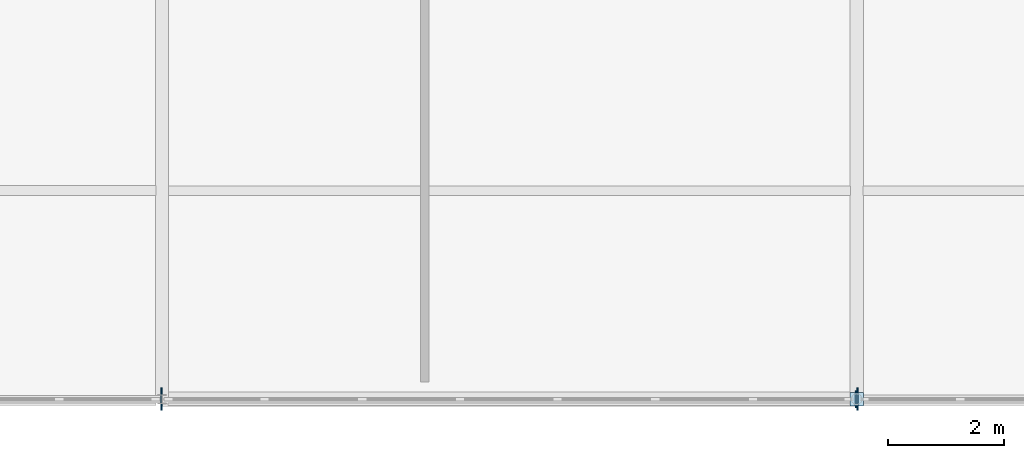
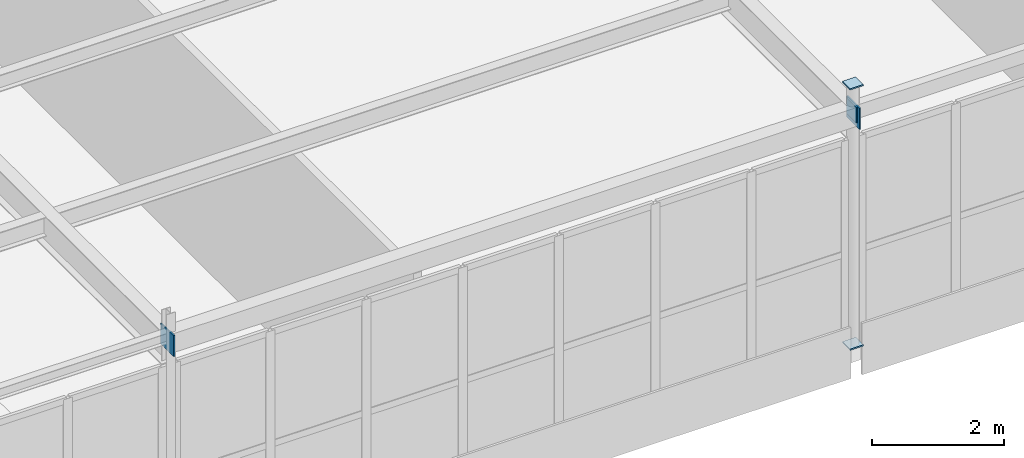
# One storey, part 180 of 226: 5 plates.
"""IFC4 building model written with IfcOpenShell, lengths in metres."""

from ifc_helpers import new_model, si_unit, direction, frame, origin, origin_2d, place, context, subcontext, project, spatial, rectangle, extrude, material, layer, layer_set, type_object, element, save


model = new_model("IFC4")

# Units and contexts
model_context = context("Model", 3, precision=1e-05, world=origin(), true_north=direction((0.0, 1.0)))
body_context = subcontext(model_context, "Body", "Model", "MODEL_VIEW")
ifc_project = project(units=[si_unit("LENGTHUNIT", "METRE"), si_unit("AREAUNIT", "SQUARE_METRE"), si_unit("VOLUMEUNIT", "CUBIC_METRE"), si_unit("PLANEANGLEUNIT", "RADIAN"), si_unit("MASSUNIT", "GRAM", prefix="KILO")], contexts=[model_context])

# Site, building, storey
site_placement = place(None, origin())
site = spatial("IfcSite", under=ifc_project, at=site_placement, CompositionType="ELEMENT")
building_placement = place(site_placement, origin())
building = spatial("IfcBuilding", under=site, at=building_placement, Name="Tarnwether General Hospital", CompositionType="ELEMENT")
storey_placement = place(building_placement, frame((0.0, 0.0, 4.800048828125)))
storey = spatial("IfcBuildingStorey", under=building, at=storey_placement, Name="L01", CompositionType="ELEMENT", Elevation=4.800048828125)

# Plates
ifc_material = material(Name="Steel Grade 350 (350 MPa)", Category="steel")
ifc_layer = layer(ifc_material, 0.02490234375)
ifc_layer_set = layer_set([ifc_layer], Name="Steel Grade 350 (350 MPa)")
plate_type = type_object("IfcPlateType", Name="PT-GUS2", PredefinedType="USERDEFINED", material=ifc_layer_set)
for number, where, z_axis, x_axis, name in (
    (1, (180.0, 0.0, -0.02490234375), (0.0, 0.0, 1.0), (1.0, 0.0, 0.0), "Hollow Section Welded End Cap Plate 0379"),
    (2, (180.0, 0.0, 4.800048828125), (0.0, 0.0, 1.0), (1.0, 0.0, 0.0), "Hollow Section Welded End Cap Plate 0380"),
):
    element("IfcPlate", number, at=place(storey_placement, frame(where, z_axis=z_axis, x_axis=x_axis)), inside=storey, type_object=plate_type, Name=name, ObjectType="GUSSET", PredefinedType="USERDEFINED", context=body_context, shape_type="SweptSolid", body=[
        extrude(rectangle(XDim=0.23388671875, YDim=0.23388671875, at=origin_2d()), origin(), (0.0, 0.0, 1.0), 0.02490234375),
    ])
for number, where, z_axis, x_axis, name in (
    (3, (167.987548828125, 0.0, 4.0751953125), (0.0, 0.0, 1.0), (1.0, 0.0, 0.0), "Hollow Section Welded End Cap Plate 0935"),
    (4, (180.012451171875, 0.0, 4.0751953125), (0.0, 0.0, 1.0), (1.0, 0.0, 0.0), "Hollow Section Welded End Cap Plate 0936"),
):
    element("IfcPlate", number, at=place(storey_placement, frame(where, z_axis=z_axis, x_axis=x_axis)), inside=storey, type_object=plate_type, Name=name, ObjectType="GUSSET", PredefinedType="USERDEFINED", context=body_context, shape_type="SweptSolid", body=[
        extrude(rectangle(XDim=0.02490234375, YDim=0.389892578125, at=origin_2d()), origin(), (0.0, 0.0, 1.0), 0.389892578125),
    ])
plate_placement = place(storey_placement, frame((179.987548828125, 0.0, 4.175048828125), z_axis=(0.0, 0.0, 1.0), x_axis=(1.0, 0.0, 0.0)))
element("IfcPlate", 5, at=plate_placement, inside=storey, type_object=plate_type, Name="Hollow Section Welded End Cap Plate 0937", ObjectType="GUSSET", PredefinedType="USERDEFINED", context=body_context, shape_type="SweptSolid", body=[
    extrude(rectangle(XDim=0.02490234375, YDim=0.2900390625, at=origin_2d()), origin(), (0.0, 0.0, 1.0), 0.2900390625),
])

save(model, "model.ifc")
